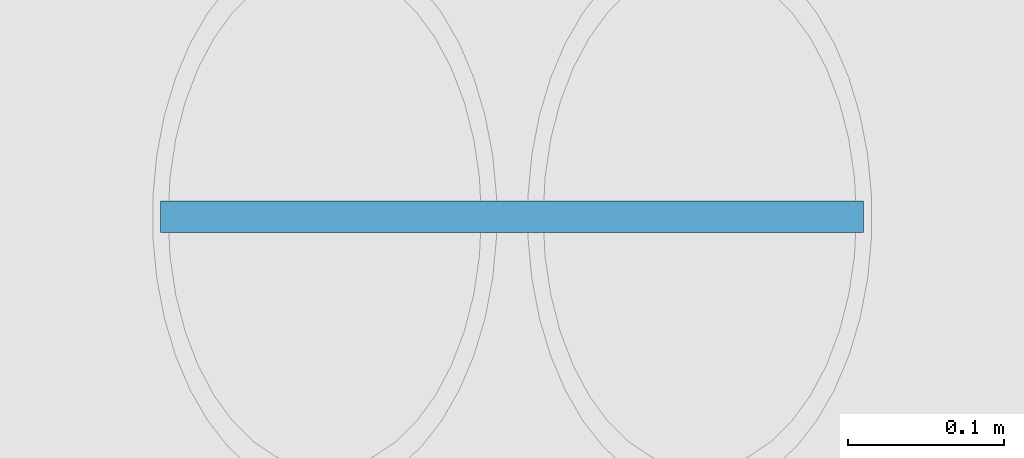
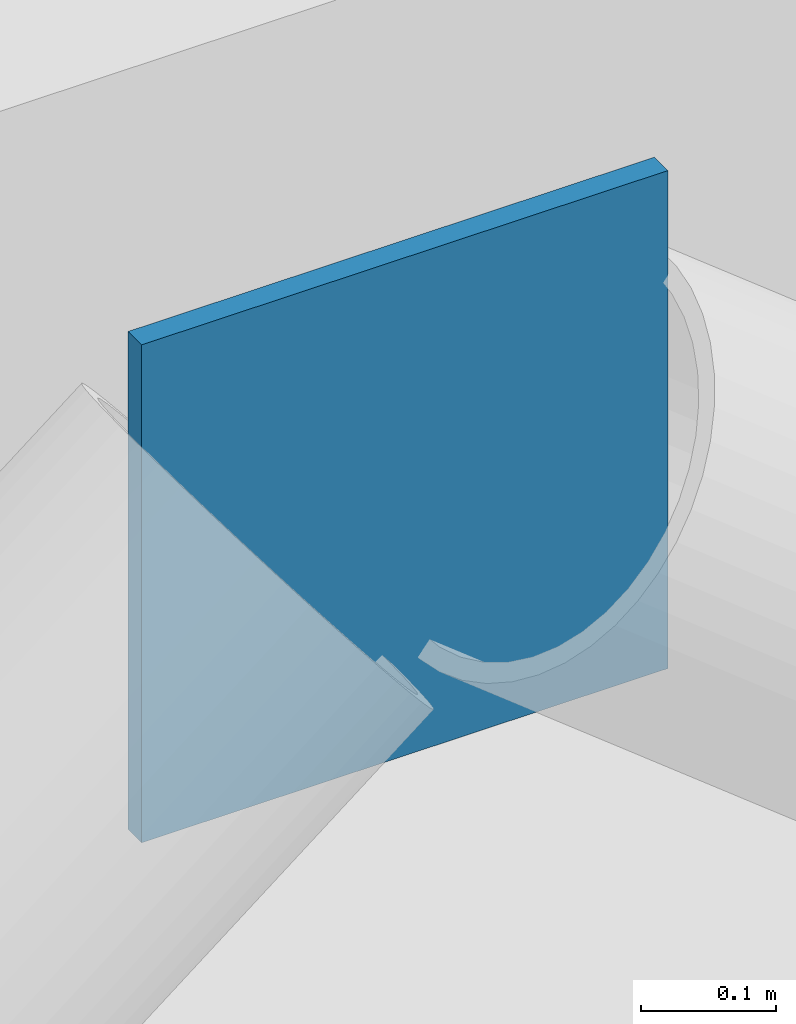
# One storey, part 48 of 73: 1 plate.
"""IFC4 building model written with IfcOpenShell, lengths in metres."""

from ifc_helpers import new_model, si_unit, direction, frame, origin, origin_2d, place, context, subcontext, project, spatial, rectangle, extrude, material, layer, layer_set, type_object, element, save


model = new_model("IFC4")

# Units and contexts
model_context = context("Model", 3, precision=1e-05, world=origin(), true_north=direction((0.0, 1.0)))
body_context = subcontext(model_context, "Body", "Model", "MODEL_VIEW")
ifc_project = project(units=[si_unit("LENGTHUNIT", "METRE"), si_unit("AREAUNIT", "SQUARE_METRE"), si_unit("VOLUMEUNIT", "CUBIC_METRE"), si_unit("PLANEANGLEUNIT", "RADIAN"), si_unit("MASSUNIT", "GRAM", prefix="KILO")], contexts=[model_context])

# Site, building, storey
site_placement = place(None, origin())
site = spatial("IfcSite", under=ifc_project, at=site_placement, CompositionType="ELEMENT")
building_placement = place(site_placement, origin())
building = spatial("IfcBuilding", under=site, at=building_placement, Name="Tasgan Crest Museum", CompositionType="ELEMENT")
storey_placement = place(building_placement, origin())
storey = spatial("IfcBuildingStorey", under=building, at=storey_placement, Name="L00", CompositionType="ELEMENT", Elevation=0.0)

# Plate
ifc_material = material(Name="Steel S355K2", Category="steel")
ifc_layer = layer(ifc_material, 0.02001953125, Name="PL-GUSSET-450")
ifc_layer_set = layer_set([ifc_layer], Name="Steel S355K2")
plate_type = type_object("IfcPlateType", Name="PL-GUSSET-450", PredefinedType="USERDEFINED", material=ifc_layer_set)
plate_placement = place(storey_placement, frame((124.199951171875, 62.0, 4.02490234375), z_axis=(0.0, 0.0, 1.0), x_axis=(1.0, 0.0, 0.0)))
element("IfcPlate", 1, at=plate_placement, inside=storey, type_object=plate_type, Name="Chevron gusset plate L00 G 124.2", ObjectType="GUSSET PLATE", PredefinedType="USERDEFINED", context=body_context, shape_type="SweptSolid", body=[
    extrude(rectangle(XDim=0.449951171875, YDim=0.02001953125, at=origin_2d()), origin(), (0.0, 0.0, 1.0), 0.449951171875),
])

save(model, "model.ifc")
